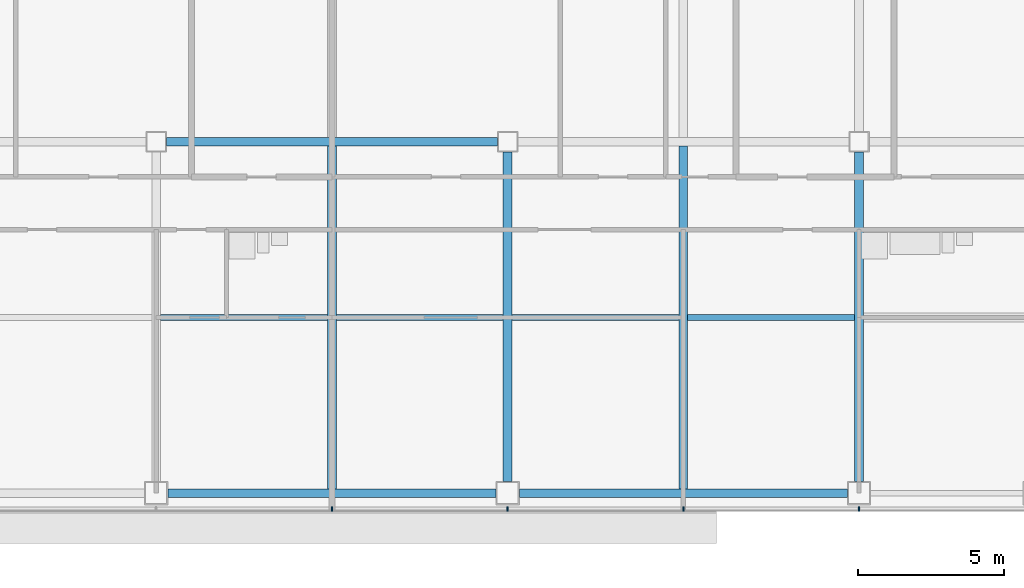
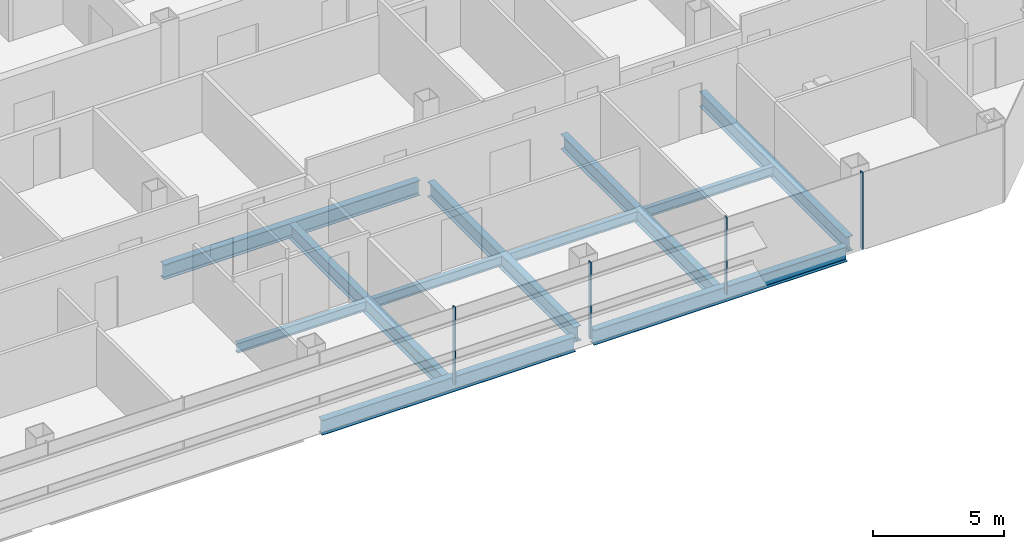
# One storey, part 8 of 25: 11 beams, 4 members, 1 element without a shape of its own.
"""IFC4 building model written with IfcOpenShell, lengths in metres."""

import ifcopenshell
import ifcopenshell.guid

model = None  # the IFC model being written
_history = None  # IfcOwnerHistory: only IFC2X3 demands one
_inside = {}  # id of a spatial element -> (the spatial element, [elements in it])
_under = {}  # id of a project, library or spatial element -> (it, [spatial elements below it])
_declared = {}  # id of a project -> (the project, [libraries it declares])
_typed = {}  # id of a type object -> (the type object, [elements of that type])
_made_of = {}  # id of a material, layer set ... -> (it, [elements and type objects made of it])


def new_model(schema):
    """Start an empty IFC model of exactly this schema.

    Asked for "IFC4X3", IfcOpenShell would pick the latest addendum, in which some entities
    have other attributes; the version numbers below select the first issue.
    IFC2X3 requires an IfcOwnerHistory on every rooted entity: one is made here for all.
    """
    global model, _history
    if schema == "IFC4X3":
        model = ifcopenshell.file(schema_version=(4, 3, 0, 0))
    else:
        model = ifcopenshell.file(schema=schema)
    _inside.clear()
    _under.clear()
    _declared.clear()
    _typed.clear()
    _made_of.clear()
    _history = None
    if model.schema == "IFC2X3":
        org = make("IfcOrganization", Name="unknown")
        user = make(
            "IfcPersonAndOrganization",
            ThePerson=make("IfcPerson", FamilyName="unknown"),
            TheOrganization=org,
        )
        app = make(
            "IfcApplication",
            ApplicationDeveloper=org,
            Version="unknown",
            ApplicationFullName="unknown",
            ApplicationIdentifier="unknown",
        )
        _history = make(
            "IfcOwnerHistory",
            OwningUser=user,
            OwningApplication=app,
            ChangeAction="ADDED",
            CreationDate=0,
        )
    return model


def make(cls, **values):
    """One entity of the class cls with the attributes given. An attribute that is None is left unset."""
    return model.create_entity(
        cls, **{name: value for name, value in values.items() if value is not None}
    )


def rooted(cls, **values):
    """An entity with a GlobalId (a new one), such as an element, a storey or a relation."""
    return make(cls, GlobalId=ifcopenshell.guid.new(), OwnerHistory=_history, **values)


def si_unit(unit_type, name, prefix=None):
    """IfcSIUnit, for example si_unit("LENGTHUNIT", "METRE", prefix="MILLI")."""
    return make("IfcSIUnit", UnitType=unit_type, Prefix=prefix, Name=name)


def assignment(units):
    """IfcUnitAssignment: the units of a project."""
    return None if units is None else make("IfcUnitAssignment", Units=units)


def point(xyz):
    """IfcCartesianPoint."""
    return None if xyz is None else make("IfcCartesianPoint", Coordinates=xyz)


def direction(xyz):
    """IfcDirection."""
    return None if xyz is None else make("IfcDirection", DirectionRatios=xyz)


def frame(location, z_axis=None, x_axis=None):
    """IfcAxis2Placement3D, a coordinate frame: its origin and axes. An axis left out is left unset."""
    return make(
        "IfcAxis2Placement3D",
        Location=point(location),
        Axis=direction(z_axis),
        RefDirection=direction(x_axis),
    )


def frame_2d(location, x_axis=None):
    """IfcAxis2Placement2D, a coordinate frame in the plane: its origin and x axis."""
    return make(
        "IfcAxis2Placement2D", Location=point(location), RefDirection=direction(x_axis)
    )


def origin():
    """The frame at (0, 0, 0) with its axes left unset."""
    return frame((0.0, 0.0, 0.0))


def origin_2d():
    """The frame at (0, 0) in the plane with its x axis left unset."""
    return frame_2d((0.0, 0.0))


def place(relative_to, where):
    """IfcLocalPlacement: puts the frame where relative to a parent placement (None: the world)."""
    return make(
        "IfcLocalPlacement", PlacementRelTo=relative_to, RelativePlacement=where
    )


def context(
    kind, dimensions, precision=None, world=None, true_north=None, identifier=None
):
    """IfcGeometricRepresentationContext, for example the 3D "Model" context."""
    return make(
        "IfcGeometricRepresentationContext",
        ContextIdentifier=identifier,
        ContextType=kind,
        CoordinateSpaceDimension=dimensions,
        Precision=precision,
        WorldCoordinateSystem=world,
        TrueNorth=true_north,
    )


def subcontext(parent, identifier, kind, view, scale=None):
    """IfcGeometricRepresentationSubContext, for example "Body" below "Model"."""
    return make(
        "IfcGeometricRepresentationSubContext",
        ContextIdentifier=identifier,
        ContextType=kind,
        ParentContext=parent,
        TargetScale=scale,
        TargetView=view,
    )


def project(units=None, contexts=None):
    """IfcProject with its units and contexts."""
    return rooted(
        "IfcProject",
        Name="project",
        RepresentationContexts=contexts,
        UnitsInContext=assignment(units),
    )


def spatial(cls, under=None, at=None, **own):
    """A site, building, storey or space (cls), placed at a placement, below another one or the project."""
    s = rooted(cls, ObjectPlacement=at, **own)
    if under is not None:
        _under.setdefault(under.id(), (under, []))[1].append(s)
    return s


def profile(cls, at=None, kind="AREA", **sizes):
    """A parametric profile (cls). Its sizes go by their IFC names, for example OverallWidth=200.0."""
    return make(cls, ProfileType=kind, Position=at, **sizes)


def rectangle(**sizes):
    """IfcRectangleProfileDef."""
    return profile("IfcRectangleProfileDef", **sizes)


def i_section(**sizes):
    """IfcIShapeProfileDef."""
    return profile("IfcIShapeProfileDef", **sizes)


def extrude(swept, where, along, depth):
    """IfcExtrudedAreaSolid: the profile swept, set in the frame where, extruded along a direction by depth."""
    return make(
        "IfcExtrudedAreaSolid",
        SweptArea=swept,
        Position=where,
        ExtrudedDirection=direction(along),
        Depth=depth,
    )


def shape(context_of_items, identifier, shape_type, items):
    """IfcShapeRepresentation: the items that make up one representation, for example the "Body"."""
    return make(
        "IfcShapeRepresentation",
        ContextOfItems=context_of_items,
        RepresentationIdentifier=identifier,
        RepresentationType=shape_type,
        Items=items,
    )


def material(Name=None, Category=None):
    """IfcMaterial."""
    return make("IfcMaterial", Name=Name, Category=Category)


def material_profile(
    of_material, cross_section, Name=None, Category=None, Priority=None
):
    """IfcMaterialProfile: a cross section and its material."""
    return make(
        "IfcMaterialProfile",
        Name=Name,
        Material=of_material,
        Profile=cross_section,
        Priority=Priority,
        Category=Category,
    )


def profile_set(profiles, Name=None, composite=None):
    """IfcMaterialProfileSet."""
    return make(
        "IfcMaterialProfileSet",
        Name=Name,
        MaterialProfiles=profiles,
        CompositeProfile=composite,
    )


def made_of(thing, what):
    """Note that an element or type object is made of a material, layer set ...; save() writes the relation."""
    if what is not None:
        _made_of.setdefault(what.id(), (what, []))[1].append(thing)
    return thing


def type_object(cls, material=None, **own):
    """A type object (cls), such as IfcWallType, which elements share."""
    return made_of(rooted(cls, **own), material)


def element(
    cls,
    number,
    at=None,
    inside=None,
    cuts=None,
    type_object=None,
    material=None,
    context=None,
    identifier="Body",
    shape_type=None,
    held_by="IfcProductDefinitionShape",
    body=None,
    shapes=None,
    **own,
):
    """One element of the class cls, such as IfcWall. Its Tag is "e" and its number.

    at: its placement. inside: the storey or other place that contains it. cuts: it is an
    opening in that element (IfcRelVoidsElement). A single representation is given by context,
    identifier, shape_type and body (its items); several are given by shapes. held_by: the class
    of the entity that holds the representations. save() writes the other relations.
    """
    e = rooted(cls, Tag="e%d" % number, ObjectPlacement=at, **own)
    if body is not None:
        shapes = [shape(context, identifier, shape_type, body)]
    if shapes is not None:
        e.Representation = make(held_by, Representations=shapes)
    if inside is not None:
        _inside.setdefault(inside.id(), (inside, []))[1].append(e)
    if cuts is not None:
        rooted(
            "IfcRelVoidsElement", RelatingBuildingElement=cuts, RelatedOpeningElement=e
        )
    if type_object is not None:
        _typed.setdefault(type_object.id(), (type_object, []))[1].append(e)
    return made_of(e, material)


def aggregate(whole, parts):
    """IfcRelAggregates: a whole, such as a stair, and the parts it consists of."""
    return rooted("IfcRelAggregates", RelatingObject=whole, RelatedObjects=parts)


def save(model, path):
    """Write the relations noted so far, then the file.

    IfcRelAggregates (storeys below a building ...), IfcRelContainedInSpatialStructure (elements
    in a storey), IfcRelDefinesByType, IfcRelAssociatesMaterial and IfcRelDeclares: one each for
    every whole, place, type object, material and project.
    """
    for whole, parts in _under.values():
        aggregate(whole, parts)
    for where, things in _inside.values():
        rooted(
            "IfcRelContainedInSpatialStructure",
            RelatedElements=things,
            RelatingStructure=where,
        )
    for kind, things in _typed.values():
        rooted("IfcRelDefinesByType", RelatedObjects=things, RelatingType=kind)
    for what, things in _made_of.values():
        rooted("IfcRelAssociatesMaterial", RelatedObjects=things, RelatingMaterial=what)
    for by, libraries in _declared.values():
        rooted("IfcRelDeclares", RelatingContext=by, RelatedDefinitions=libraries)
    model.write(path)


model = new_model("IFC4")

# Units and contexts
model_context = context("Model", 3, precision=1e-05, world=origin(), true_north=direction((0.0, 1.0)))
body_context = subcontext(model_context, "Body", "Model", "MODEL_VIEW")
ifc_project = project(units=[si_unit("LENGTHUNIT", "METRE"), si_unit("AREAUNIT", "SQUARE_METRE"), si_unit("VOLUMEUNIT", "CUBIC_METRE"), si_unit("PLANEANGLEUNIT", "RADIAN"), si_unit("MASSUNIT", "GRAM", prefix="KILO")], contexts=[model_context])

# Site, building, storey
site_placement = place(None, origin())
site = spatial("IfcSite", under=ifc_project, at=site_placement, CompositionType="ELEMENT")
building_placement = place(site_placement, origin())
building = spatial("IfcBuilding", under=site, at=building_placement, Name="Sorahane Residences", CompositionType="ELEMENT")
storey_placement = place(building_placement, frame((0.0, 0.0, 130.39990234375)))
storey = spatial("IfcBuildingStorey", under=building, at=storey_placement, Name="L29", CompositionType="ELEMENT", Elevation=130.39990234375)

# Curtain wall, members
ifc_material_1 = material(Name="Dark low-e glass and black anodised aluminium", Category="aluminium")
curtain_wall_type = type_object("IfcCurtainWallType", Name="Curtain wall CW-1 Typical unitised wall", PredefinedType="NOTDEFINED", material=ifc_material_1)
curtain_wall_placement = place(storey_placement, origin())
curtain_wall = element("IfcCurtainWall", 1, at=curtain_wall_placement, inside=storey, type_object=curtain_wall_type, Name="CW-1 curtain wall L29 S1", PredefinedType="NOTDEFINED")
ifc_material_2 = material(Name="Black anodised aluminium", Category="aluminium")
ifc_material_profile_1 = material_profile(ifc_material_2, rectangle(XDim=0.159912109375, YDim=0.050048828125, at=origin_2d()), Name="Curtain wall mullion CW-1 black anodised aluminium 50x160")
ifc_profile_set_1 = profile_set([ifc_material_profile_1], Name="Black anodised aluminium")
member_type = type_object("IfcMemberType", Name="Curtain wall mullion CW-1 black anodised aluminium 50x160", PredefinedType="MULLION", material=ifc_profile_set_1)
member_1_placement = place(storey_placement, frame((30.0, -0.5400390625, -0.179931640625), z_axis=(0.0, 0.0, 1.0), x_axis=(0.0, -1.0, 0.0)))
member_1 = element("IfcMember", 2, at=member_1_placement, type_object=member_type, Name="CW-1 mullion L29 S1.6", PredefinedType="MULLION", context=body_context, shape_type="SweptSolid", body=[
    extrude(rectangle(XDim=0.159912109375, YDim=0.050048828125, at=origin_2d()), origin(), (0.0, 0.0, 1.0), 3.60009765625),
])
member_2_placement = place(storey_placement, frame((36.0, -0.5400390625, -0.179931640625), z_axis=(0.0, 0.0, 1.0), x_axis=(0.0, -1.0, 0.0)))
member_2 = element("IfcMember", 3, at=member_2_placement, type_object=member_type, Name="CW-1 mullion L29 S1.7", PredefinedType="MULLION", context=body_context, shape_type="SweptSolid", body=[
    extrude(rectangle(XDim=0.159912109375, YDim=0.050048828125, at=origin_2d()), origin(), (0.0, 0.0, 1.0), 3.60009765625),
])
member_3_placement = place(storey_placement, frame((42.0, -0.5400390625, -0.179931640625), z_axis=(0.0, 0.0, 1.0), x_axis=(0.0, -1.0, 0.0)))
member_3 = element("IfcMember", 4, at=member_3_placement, type_object=member_type, Name="CW-1 mullion L29 S1.8", PredefinedType="MULLION", context=body_context, shape_type="SweptSolid", body=[
    extrude(rectangle(XDim=0.159912109375, YDim=0.050048828125, at=origin_2d()), origin(), (0.0, 0.0, 1.0), 3.60009765625),
])
member_4_placement = place(storey_placement, frame((48.0, -0.5400390625, -0.179931640625), z_axis=(0.0, 0.0, 1.0), x_axis=(0.0, -1.0, 0.0)))
member_4 = element("IfcMember", 5, at=member_4_placement, type_object=member_type, Name="CW-1 mullion L29 S1.9", PredefinedType="MULLION", context=body_context, shape_type="SweptSolid", body=[
    extrude(rectangle(XDim=0.159912109375, YDim=0.050048828125, at=origin_2d()), origin(), (0.0, 0.0, 1.0), 3.60009765625),
])
aggregate(curtain_wall, [member_1, member_2, member_3, member_4])

# Beams
ifc_material_3 = material(Name="Steel Q355B", Category="steel")
ifc_material_profile_2 = material_profile(ifc_material_3, i_section(OverallWidth=0.199951171875, OverallDepth=0.449951171875, WebThickness=0.009033203125, FlangeThickness=0.013916015625, FilletRadius=0.02001953125, at=origin_2d()), Name="HN 450x200x9x14")
ifc_profile_set_2 = profile_set([ifc_material_profile_2], Name="Steel Q355B")
beam_type_1 = type_object("IfcBeamType", Name="Steel floor beam HN 450x200x9x14 Q355B", PredefinedType="BEAM", material=ifc_profile_set_2)
for number, where, z_axis, x_axis, name in (
    (6, (24.14990234375, 6.0, -0.40478515625), (1.0, 0.0, 0.0), (0.0, 1.0, 0.0), "Beam L29 073"),
    (7, (30.14990234375, 6.0, -0.40478515625), (1.0, 0.0, 0.0), (0.0, 1.0, 0.0), "Beam L29 074"),
    (8, (36.14990234375, 6.0, -0.40478515625), (1.0, 0.0, 0.0), (0.0, 1.0, 0.0), "Beam L29 075"),
    (9, (42.14990234375, 6.0, -0.40478515625), (1.0, 0.0, 0.0), (0.0, 1.0, 0.0), "Beam L29 076"),
):
    element("IfcBeam", number, at=place(storey_placement, frame(where, z_axis=z_axis, x_axis=x_axis)), inside=storey, type_object=beam_type_1, Name=name, PredefinedType="BEAM", context=body_context, shape_type="SweptSolid", body=[
        extrude(i_section(OverallWidth=0.199951171875, OverallDepth=0.449951171875, WebThickness=0.009033203125, FlangeThickness=0.013916015625, FilletRadius=0.02001953125, at=origin_2d()), origin(), (0.0, 0.0, 1.0), 5.7001953125),
    ])
ifc_material_4 = material(Name="Steel Q355B", Category="steel")
ifc_material_profile_3 = material_profile(ifc_material_4, i_section(OverallWidth=0.300048828125, OverallDepth=0.699951171875, WebThickness=0.012939453125, FlangeThickness=0.02392578125, FilletRadius=0.028076171875, at=origin_2d()), Name="HN 700x300x13x24")
ifc_profile_set_3 = profile_set([ifc_material_profile_3], Name="Steel Q355B")
beam_type_2 = type_object("IfcBeamType", Name="Steel floor beam HN 700x300x13x24 Q355B", PredefinedType="BEAM", material=ifc_profile_set_3)
for number, where, z_axis, x_axis, name in (
    (10, (24.39990234375, 0.0, -0.52978515625), (1.0, 0.0, 0.0), (0.0, 1.0, 0.0), "Beam L29 002"),
    (11, (36.39990234375, 0.0, -0.52978515625), (1.0, 0.0, 0.0), (0.0, 1.0, 0.0), "Beam L29 003"),
):
    element("IfcBeam", number, at=place(storey_placement, frame(where, z_axis=z_axis, x_axis=x_axis)), inside=storey, type_object=beam_type_2, Name=name, PredefinedType="BEAM", context=body_context, shape_type="SweptSolid", body=[
        extrude(i_section(OverallWidth=0.300048828125, OverallDepth=0.699951171875, WebThickness=0.012939453125, FlangeThickness=0.02392578125, FilletRadius=0.028076171875, at=origin_2d()), origin(), (0.0, 0.0, 1.0), 11.2001953125),
    ])
beam_1_placement = place(storey_placement, frame((24.35009765625, 12.0, -0.52978515625), z_axis=(1.0, 0.0, 0.0), x_axis=(0.0, 1.0, 0.0)))
element("IfcBeam", 12, at=beam_1_placement, inside=storey, type_object=beam_type_2, Name="Beam L29 008", PredefinedType="BEAM", context=body_context, shape_type="SweptSolid", body=[
    extrude(i_section(OverallWidth=0.300048828125, OverallDepth=0.699951171875, WebThickness=0.012939453125, FlangeThickness=0.02392578125, FilletRadius=0.028076171875, at=origin_2d()), origin(), (0.0, 0.0, 1.0), 11.2998046875),
])
beam_2_placement = place(storey_placement, frame((30.0, 0.14990234375, -0.52978515625), z_axis=(0.0, 1.0, 0.0), x_axis=(-1.0, 0.0, 0.0)))
element("IfcBeam", 13, at=beam_2_placement, inside=storey, type_object=beam_type_2, Name="Beam L29 044", PredefinedType="BEAM", context=body_context, shape_type="SweptSolid", body=[
    extrude(i_section(OverallWidth=0.300048828125, OverallDepth=0.699951171875, WebThickness=0.012939453125, FlangeThickness=0.02392578125, FilletRadius=0.028076171875, at=origin_2d()), origin(), (0.0, 0.0, 1.0), 11.7001953125),
])
beam_3_placement = place(storey_placement, frame((36.0, 0.39990234375, -0.52978515625), z_axis=(0.0, 1.0, 0.0), x_axis=(-1.0, 0.0, 0.0)))
element("IfcBeam", 14, at=beam_3_placement, inside=storey, type_object=beam_type_2, Name="Beam L29 050", PredefinedType="BEAM", context=body_context, shape_type="SweptSolid", body=[
    extrude(i_section(OverallWidth=0.300048828125, OverallDepth=0.699951171875, WebThickness=0.012939453125, FlangeThickness=0.02392578125, FilletRadius=0.028076171875, at=origin_2d()), origin(), (0.0, 0.0, 1.0), 11.25),
])
beam_4_placement = place(storey_placement, frame((42.0, 0.14990234375, -0.52978515625), z_axis=(0.0, 1.0, 0.0), x_axis=(-1.0, 0.0, 0.0)))
element("IfcBeam", 15, at=beam_4_placement, inside=storey, type_object=beam_type_2, Name="Beam L29 052", PredefinedType="BEAM", context=body_context, shape_type="SweptSolid", body=[
    extrude(i_section(OverallWidth=0.300048828125, OverallDepth=0.699951171875, WebThickness=0.012939453125, FlangeThickness=0.02392578125, FilletRadius=0.028076171875, at=origin_2d()), origin(), (0.0, 0.0, 1.0), 11.7001953125),
])
beam_5_placement = place(storey_placement, frame((48.0, 0.39990234375, -0.52978515625), z_axis=(0.0, 1.0, 0.0), x_axis=(-1.0, 0.0, 0.0)))
element("IfcBeam", 16, at=beam_5_placement, inside=storey, type_object=beam_type_2, Name="Beam L29 058", PredefinedType="BEAM", context=body_context, shape_type="SweptSolid", body=[
    extrude(i_section(OverallWidth=0.300048828125, OverallDepth=0.699951171875, WebThickness=0.012939453125, FlangeThickness=0.02392578125, FilletRadius=0.028076171875, at=origin_2d()), origin(), (0.0, 0.0, 1.0), 11.25),
])

save(model, "model.ifc")
